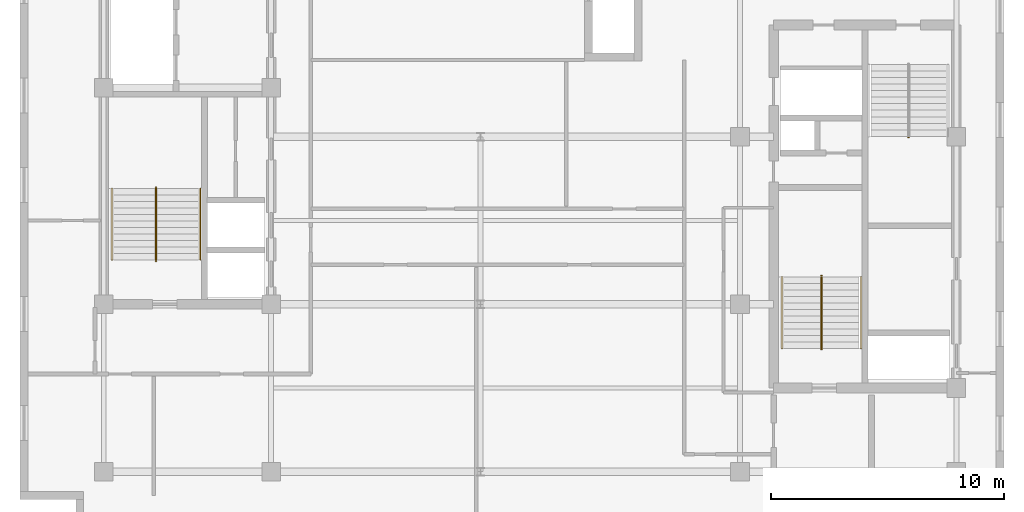
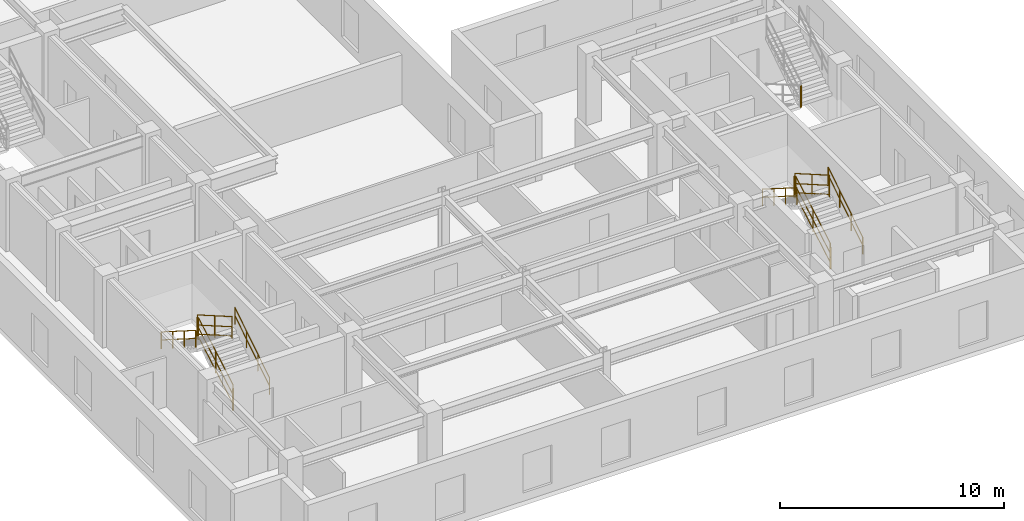
# One storey, part 7 of 9: 13 railings.
"""IFC4 building model written with IfcOpenShell, lengths in metres."""

from ifc_helpers import new_model, entity, si_unit, converted_unit, direction, frame, origin_with_axes, origin_2d_with_axis, place, context, subcontext, project, spatial, rectangle, circle, extrude, material, type_object, element, save


model = new_model("IFC4")

# Units and contexts
model_context = context("Model", 3, precision=1e-05, world=origin_with_axes(), true_north=direction((0.0, 1.0)))
body_context = subcontext(model_context, "Body", "Model", "MODEL_VIEW")
ifc_project = project(units=[si_unit("LENGTHUNIT", "METRE"), si_unit("AREAUNIT", "SQUARE_METRE"), si_unit("VOLUMEUNIT", "CUBIC_METRE"), converted_unit("PLANEANGLEUNIT", "DEGREE", entity("IfcPlaneAngleMeasure", 0.017453292519943295), si_unit("PLANEANGLEUNIT", "RADIAN"), dimensions=[0, 0, 0, 0, 0, 0, 0]), si_unit("MASSUNIT", "GRAM", prefix="KILO"), si_unit("THERMODYNAMICTEMPERATUREUNIT", "KELVIN")], contexts=[model_context])

# Site, building, storey
site_placement = place(None, origin_with_axes())
site = spatial("IfcSite", under=ifc_project, at=site_placement, CompositionType="ELEMENT")
building_placement = place(site_placement, origin_with_axes())
building = spatial("IfcBuilding", under=site, at=building_placement, Name="Varnlund Millrace Tower", CompositionType="ELEMENT")
storey_placement = place(building_placement, frame((0.0, 0.0, 256.8), z_axis=(0.0, 0.0, 1.0), x_axis=(1.0, 0.0, 0.0)))
storey = spatial("IfcBuildingStorey", under=building, at=storey_placement, Name="L63", CompositionType="ELEMENT", Elevation=256.8)

# Railings
ifc_material_1 = material(Name="Painted steel stair well balustrade guard", Category="steel")
railing_type_1 = type_object("IfcRailingType", Name="Type-StairGuard-1150", PredefinedType="GUARDRAIL", material=ifc_material_1)
railing_1_placement = place(storey_placement, frame((0.0, 0.0, -256.8), z_axis=(0.0, 0.0, 1.0), x_axis=(1.0, 0.0, 0.0)))
element("IfcRailing", 1, at=railing_1_placement, inside=storey, type_object=railing_type_1, Name="Type-StairGuard-1150", PredefinedType="GUARDRAIL", context=body_context, shape_type="SweptSolid", body=[
    extrude(circle(Radius=0.024, at=origin_2d_with_axis()), frame((13.675, 12.7, 258.127273), z_axis=(0.0, 0.866696, 0.498836), x_axis=(-1.0, 0.0, 0.0)), (0.0, 0.0, 1.0), 3.553725),
    extrude(circle(Radius=0.024, at=origin_2d_with_axis()), frame((13.675, 12.7, 257.077273), z_axis=(0.0, 0.866696, 0.498836), x_axis=(-1.0, 0.0, 0.0)), (0.0, 0.0, 1.0), 3.553725),
    extrude(circle(Radius=0.024, at=origin_2d_with_axis()), frame((13.675, 12.7, 257.575273), z_axis=(0.0, 0.866696, 0.498836), x_axis=(-1.0, 0.0, 0.0)), (0.0, 0.0, 1.0), 3.553725),
    extrude(rectangle(XDim=0.04, YDim=0.04, at=origin_2d_with_axis()), frame((13.675, 12.7, 256.937273), z_axis=(0.0, 0.0, 1.0), x_axis=(1.0, 0.0, 0.0)), (0.0, 0.0, 1.0), 1.19),
    extrude(rectangle(XDim=0.04, YDim=0.04, at=origin_2d_with_axis()), frame((13.675, 14.24, 257.823636), z_axis=(0.0, 0.0, 1.0), x_axis=(1.0, 0.0, 0.0)), (0.0, 0.0, 1.0), 1.19),
    extrude(rectangle(XDim=0.04, YDim=0.04, at=origin_2d_with_axis()), frame((13.675, 15.78, 258.71), z_axis=(0.0, 0.0, 1.0), x_axis=(1.0, 0.0, 0.0)), (0.0, 0.0, 1.0), 1.19),
])
railing_2_placement = place(storey_placement, frame((0.0, 0.0, -256.8), z_axis=(0.0, 0.0, 1.0), x_axis=(1.0, 0.0, 0.0)))
element("IfcRailing", 2, at=railing_2_placement, inside=storey, type_object=railing_type_1, Name="Type-StairGuard-1150", PredefinedType="GUARDRAIL", context=body_context, shape_type="SweptSolid", body=[
    extrude(circle(Radius=0.024, at=origin_2d_with_axis()), frame((13.625, 15.83, 259.9), z_axis=(1.0, 0.0, 0.0), x_axis=(0.0, 1.0, 0.0)), (0.0, 0.0, 1.0), 0.05),
    extrude(circle(Radius=0.024, at=origin_2d_with_axis()), frame((13.625, 15.83, 258.85), z_axis=(1.0, 0.0, 0.0), x_axis=(0.0, 1.0, 0.0)), (0.0, 0.0, 1.0), 0.05),
    extrude(circle(Radius=0.024, at=origin_2d_with_axis()), frame((13.625, 15.83, 259.348), z_axis=(1.0, 0.0, 0.0), x_axis=(0.0, 1.0, 0.0)), (0.0, 0.0, 1.0), 0.05),
    extrude(rectangle(XDim=0.04, YDim=0.04, at=origin_2d_with_axis()), frame((13.625, 15.83, 258.71), z_axis=(0.0, 0.0, 1.0), x_axis=(1.0, 0.0, 0.0)), (0.0, 0.0, 1.0), 1.19),
    extrude(rectangle(XDim=0.04, YDim=0.04, at=origin_2d_with_axis()), frame((13.675, 15.83, 258.71), z_axis=(0.0, 0.0, 1.0), x_axis=(1.0, 0.0, 0.0)), (0.0, 0.0, 1.0), 1.19),
])
railing_3_placement = place(storey_placement, frame((0.0, 0.0, -256.8), z_axis=(0.0, 0.0, 1.0), x_axis=(1.0, 0.0, 0.0)))
element("IfcRailing", 3, at=railing_3_placement, inside=storey, type_object=railing_type_1, Name="Type-StairGuard-1150", PredefinedType="GUARDRAIL", context=body_context, shape_type="SweptSolid", body=[
    extrude(circle(Radius=0.024, at=origin_2d_with_axis()), frame((13.625, 15.78, 260.077273), z_axis=(0.0, -0.866696, 0.498836), x_axis=(1.0, 0.0, 0.0)), (0.0, 0.0, 1.0), 3.553725),
    extrude(circle(Radius=0.024, at=origin_2d_with_axis()), frame((13.625, 15.78, 259.027273), z_axis=(0.0, -0.866696, 0.498836), x_axis=(1.0, 0.0, 0.0)), (0.0, 0.0, 1.0), 3.553725),
    extrude(circle(Radius=0.024, at=origin_2d_with_axis()), frame((13.625, 15.78, 259.525273), z_axis=(0.0, -0.866696, 0.498836), x_axis=(1.0, 0.0, 0.0)), (0.0, 0.0, 1.0), 3.553725),
    extrude(rectangle(XDim=0.04, YDim=0.04, at=origin_2d_with_axis()), frame((13.625, 15.78, 258.887273), z_axis=(0.0, 0.0, 1.0), x_axis=(1.0, 0.0, 0.0)), (0.0, 0.0, 1.0), 1.19),
    extrude(rectangle(XDim=0.04, YDim=0.04, at=origin_2d_with_axis()), frame((13.625, 14.24, 259.773637), z_axis=(0.0, 0.0, 1.0), x_axis=(1.0, 0.0, 0.0)), (0.0, 0.0, 1.0), 1.19),
    extrude(rectangle(XDim=0.04, YDim=0.04, at=origin_2d_with_axis()), frame((13.625, 12.7, 260.66), z_axis=(0.0, 0.0, 1.0), x_axis=(1.0, 0.0, 0.0)), (0.0, 0.0, 1.0), 1.19),
])
railing_4_placement = place(storey_placement, frame((0.0, 0.0, -256.8), z_axis=(0.0, 0.0, 1.0), x_axis=(1.0, 0.0, 0.0)))
element("IfcRailing", 4, at=railing_4_placement, inside=storey, type_object=railing_type_1, Name="Type-StairGuard-1150", PredefinedType="GUARDRAIL", context=body_context, shape_type="SweptSolid", body=[
    extrude(circle(Radius=0.024, at=origin_2d_with_axis()), frame((13.625, 12.65, 257.95), z_axis=(1.0, 0.0, 0.0), x_axis=(0.0, 1.0, 0.0)), (0.0, 0.0, 1.0), 0.05),
    extrude(circle(Radius=0.024, at=origin_2d_with_axis()), frame((13.625, 12.65, 256.9), z_axis=(1.0, 0.0, 0.0), x_axis=(0.0, 1.0, 0.0)), (0.0, 0.0, 1.0), 0.05),
    extrude(circle(Radius=0.024, at=origin_2d_with_axis()), frame((13.625, 12.65, 257.398), z_axis=(1.0, 0.0, 0.0), x_axis=(0.0, 1.0, 0.0)), (0.0, 0.0, 1.0), 0.05),
    extrude(rectangle(XDim=0.04, YDim=0.04, at=origin_2d_with_axis()), frame((13.625, 12.65, 256.76), z_axis=(0.0, 0.0, 1.0), x_axis=(1.0, 0.0, 0.0)), (0.0, 0.0, 1.0), 1.19),
    extrude(rectangle(XDim=0.04, YDim=0.04, at=origin_2d_with_axis()), frame((13.675, 12.65, 256.76), z_axis=(0.0, 0.0, 1.0), x_axis=(1.0, 0.0, 0.0)), (0.0, 0.0, 1.0), 1.19),
])
railing_5_placement = place(storey_placement, frame((0.0, 0.0, -256.8), z_axis=(0.0, 0.0, 1.0), x_axis=(1.0, 0.0, 0.0)))
element("IfcRailing", 5, at=railing_5_placement, inside=storey, type_object=railing_type_1, Name="Type-StairGuard-1150", PredefinedType="GUARDRAIL", context=body_context, shape_type="SweptSolid", body=[
    extrude(circle(Radius=0.024, at=origin_2d_with_axis()), frame((42.275, 8.9, 258.127273), z_axis=(0.0, 0.866696, 0.498836), x_axis=(-1.0, 0.0, 0.0)), (0.0, 0.0, 1.0), 3.553725),
    extrude(circle(Radius=0.024, at=origin_2d_with_axis()), frame((42.275, 8.9, 257.077273), z_axis=(0.0, 0.866696, 0.498836), x_axis=(-1.0, 0.0, 0.0)), (0.0, 0.0, 1.0), 3.553725),
    extrude(circle(Radius=0.024, at=origin_2d_with_axis()), frame((42.275, 8.9, 257.575273), z_axis=(0.0, 0.866696, 0.498836), x_axis=(-1.0, 0.0, 0.0)), (0.0, 0.0, 1.0), 3.553725),
    extrude(rectangle(XDim=0.04, YDim=0.04, at=origin_2d_with_axis()), frame((42.275, 8.9, 256.937273), z_axis=(0.0, 0.0, 1.0), x_axis=(1.0, 0.0, 0.0)), (0.0, 0.0, 1.0), 1.19),
    extrude(rectangle(XDim=0.04, YDim=0.04, at=origin_2d_with_axis()), frame((42.275, 10.44, 257.823636), z_axis=(0.0, 0.0, 1.0), x_axis=(1.0, 0.0, 0.0)), (0.0, 0.0, 1.0), 1.19),
    extrude(rectangle(XDim=0.04, YDim=0.04, at=origin_2d_with_axis()), frame((42.275, 11.98, 258.71), z_axis=(0.0, 0.0, 1.0), x_axis=(1.0, 0.0, 0.0)), (0.0, 0.0, 1.0), 1.19),
])
railing_6_placement = place(storey_placement, frame((0.0, 0.0, -256.8), z_axis=(0.0, 0.0, 1.0), x_axis=(1.0, 0.0, 0.0)))
element("IfcRailing", 6, at=railing_6_placement, inside=storey, type_object=railing_type_1, Name="Type-StairGuard-1150", PredefinedType="GUARDRAIL", context=body_context, shape_type="SweptSolid", body=[
    extrude(circle(Radius=0.024, at=origin_2d_with_axis()), frame((42.225, 12.03, 259.9), z_axis=(1.0, 0.0, 0.0), x_axis=(0.0, 1.0, 0.0)), (0.0, 0.0, 1.0), 0.05),
    extrude(circle(Radius=0.024, at=origin_2d_with_axis()), frame((42.225, 12.03, 258.85), z_axis=(1.0, 0.0, 0.0), x_axis=(0.0, 1.0, 0.0)), (0.0, 0.0, 1.0), 0.05),
    extrude(circle(Radius=0.024, at=origin_2d_with_axis()), frame((42.225, 12.03, 259.348), z_axis=(1.0, 0.0, 0.0), x_axis=(0.0, 1.0, 0.0)), (0.0, 0.0, 1.0), 0.05),
    extrude(rectangle(XDim=0.04, YDim=0.04, at=origin_2d_with_axis()), frame((42.225, 12.03, 258.71), z_axis=(0.0, 0.0, 1.0), x_axis=(1.0, 0.0, 0.0)), (0.0, 0.0, 1.0), 1.19),
    extrude(rectangle(XDim=0.04, YDim=0.04, at=origin_2d_with_axis()), frame((42.275, 12.03, 258.71), z_axis=(0.0, 0.0, 1.0), x_axis=(1.0, 0.0, 0.0)), (0.0, 0.0, 1.0), 1.19),
])
railing_7_placement = place(storey_placement, frame((0.0, 0.0, -256.8), z_axis=(0.0, 0.0, 1.0), x_axis=(1.0, 0.0, 0.0)))
element("IfcRailing", 7, at=railing_7_placement, inside=storey, type_object=railing_type_1, Name="Type-StairGuard-1150", PredefinedType="GUARDRAIL", context=body_context, shape_type="SweptSolid", body=[
    extrude(circle(Radius=0.024, at=origin_2d_with_axis()), frame((42.225, 11.98, 260.077273), z_axis=(0.0, -0.866696, 0.498836), x_axis=(1.0, 0.0, 0.0)), (0.0, 0.0, 1.0), 3.553725),
    extrude(circle(Radius=0.024, at=origin_2d_with_axis()), frame((42.225, 11.98, 259.027273), z_axis=(0.0, -0.866696, 0.498836), x_axis=(1.0, 0.0, 0.0)), (0.0, 0.0, 1.0), 3.553725),
    extrude(circle(Radius=0.024, at=origin_2d_with_axis()), frame((42.225, 11.98, 259.525273), z_axis=(0.0, -0.866696, 0.498836), x_axis=(1.0, 0.0, 0.0)), (0.0, 0.0, 1.0), 3.553725),
    extrude(rectangle(XDim=0.04, YDim=0.04, at=origin_2d_with_axis()), frame((42.225, 11.98, 258.887273), z_axis=(0.0, 0.0, 1.0), x_axis=(1.0, 0.0, 0.0)), (0.0, 0.0, 1.0), 1.19),
    extrude(rectangle(XDim=0.04, YDim=0.04, at=origin_2d_with_axis()), frame((42.225, 10.44, 259.773637), z_axis=(0.0, 0.0, 1.0), x_axis=(1.0, 0.0, 0.0)), (0.0, 0.0, 1.0), 1.19),
    extrude(rectangle(XDim=0.04, YDim=0.04, at=origin_2d_with_axis()), frame((42.225, 8.9, 260.66), z_axis=(0.0, 0.0, 1.0), x_axis=(1.0, 0.0, 0.0)), (0.0, 0.0, 1.0), 1.19),
])
railing_8_placement = place(storey_placement, frame((0.0, 0.0, -256.8), z_axis=(0.0, 0.0, 1.0), x_axis=(1.0, 0.0, 0.0)))
element("IfcRailing", 8, at=railing_8_placement, inside=storey, type_object=railing_type_1, Name="Type-StairGuard-1150", PredefinedType="GUARDRAIL", context=body_context, shape_type="SweptSolid", body=[
    extrude(circle(Radius=0.024, at=origin_2d_with_axis()), frame((42.225, 8.85, 257.95), z_axis=(1.0, 0.0, 0.0), x_axis=(0.0, 1.0, 0.0)), (0.0, 0.0, 1.0), 0.05),
    extrude(circle(Radius=0.024, at=origin_2d_with_axis()), frame((42.225, 8.85, 256.9), z_axis=(1.0, 0.0, 0.0), x_axis=(0.0, 1.0, 0.0)), (0.0, 0.0, 1.0), 0.05),
    extrude(circle(Radius=0.024, at=origin_2d_with_axis()), frame((42.225, 8.85, 257.398), z_axis=(1.0, 0.0, 0.0), x_axis=(0.0, 1.0, 0.0)), (0.0, 0.0, 1.0), 0.05),
    extrude(rectangle(XDim=0.04, YDim=0.04, at=origin_2d_with_axis()), frame((42.225, 8.85, 256.76), z_axis=(0.0, 0.0, 1.0), x_axis=(1.0, 0.0, 0.0)), (0.0, 0.0, 1.0), 1.19),
    extrude(rectangle(XDim=0.04, YDim=0.04, at=origin_2d_with_axis()), frame((42.275, 8.85, 256.76), z_axis=(0.0, 0.0, 1.0), x_axis=(1.0, 0.0, 0.0)), (0.0, 0.0, 1.0), 1.19),
])
railing_9_placement = place(storey_placement, frame((0.0, 0.0, -256.8), z_axis=(0.0, 0.0, 1.0), x_axis=(1.0, 0.0, 0.0)))
element("IfcRailing", 9, at=railing_9_placement, inside=storey, type_object=railing_type_1, Name="Type-StairGuard-1150", PredefinedType="GUARDRAIL", context=body_context, shape_type="SweptSolid", body=[
    extrude(circle(Radius=0.024, at=origin_2d_with_axis()), frame((46.025, 17.97, 259.9), z_axis=(-1.0, 0.0, 0.0), x_axis=(0.0, -1.0, 0.0)), (0.0, 0.0, 1.0), 0.05),
    extrude(circle(Radius=0.024, at=origin_2d_with_axis()), frame((46.025, 17.97, 258.85), z_axis=(-1.0, 0.0, 0.0), x_axis=(0.0, -1.0, 0.0)), (0.0, 0.0, 1.0), 0.05),
    extrude(circle(Radius=0.024, at=origin_2d_with_axis()), frame((46.025, 17.97, 259.348), z_axis=(-1.0, 0.0, 0.0), x_axis=(0.0, -1.0, 0.0)), (0.0, 0.0, 1.0), 0.05),
    extrude(rectangle(XDim=0.04, YDim=0.04, at=origin_2d_with_axis()), frame((46.025, 17.97, 258.71), z_axis=(0.0, 0.0, 1.0), x_axis=(1.0, 0.0, 0.0)), (0.0, 0.0, 1.0), 1.19),
    extrude(rectangle(XDim=0.04, YDim=0.04, at=origin_2d_with_axis()), frame((45.975, 17.97, 258.71), z_axis=(0.0, 0.0, 1.0), x_axis=(1.0, 0.0, 0.0)), (0.0, 0.0, 1.0), 1.19),
])
ifc_material_2 = material(Name="Brushed architectural bronze stair handrail", Category="aluminium")
railing_type_2 = type_object("IfcRailingType", Name="Type-StairHandrail-900", PredefinedType="HANDRAIL", material=ifc_material_2)
railing_10_placement = place(storey_placement, frame((0.0, 0.0, -256.8), z_axis=(0.0, 0.0, 1.0), x_axis=(1.0, 0.0, 0.0)))
element("IfcRailing", 10, at=railing_10_placement, inside=storey, type_object=railing_type_2, Name="Type-StairHandrail-900", PredefinedType="HANDRAIL", context=body_context, shape_type="SweptSolid", body=[
    extrude(circle(Radius=0.024, at=origin_2d_with_axis()), frame((15.55, 12.7, 257.856995), z_axis=(0.0, 0.844902, 0.534922), x_axis=(-1.0, 0.0, 0.0)), (0.0, 0.0, 1.0), 3.645394),
    extrude(circle(Radius=0.024, at=origin_2d_with_axis()), frame((15.55, 12.7, 257.417134), z_axis=(0.0, 0.844902, 0.534922), x_axis=(-1.0, 0.0, 0.0)), (0.0, 0.0, 1.0), 3.645394),
    extrude(rectangle(XDim=0.04, YDim=0.04, at=origin_2d_with_axis()), frame((15.55, 12.7, 256.937273), z_axis=(0.0, 0.0, 1.0), x_axis=(1.0, 0.0, 0.0)), (0.0, 0.0, 1.0), 0.919722),
    extrude(rectangle(XDim=0.04, YDim=0.04, at=origin_2d_with_axis()), frame((15.55, 13.726667, 257.587273), z_axis=(0.0, 0.0, 1.0), x_axis=(1.0, 0.0, 0.0)), (0.0, 0.0, 1.0), 0.919722),
    extrude(rectangle(XDim=0.04, YDim=0.04, at=origin_2d_with_axis()), frame((15.55, 14.753333, 258.237273), z_axis=(0.0, 0.0, 1.0), x_axis=(1.0, 0.0, 0.0)), (0.0, 0.0, 1.0), 0.919722),
    extrude(rectangle(XDim=0.04, YDim=0.04, at=origin_2d_with_axis()), frame((15.55, 15.78, 258.887273), z_axis=(0.0, 0.0, 1.0), x_axis=(1.0, 0.0, 0.0)), (0.0, 0.0, 1.0), 0.919722),
])
railing_11_placement = place(storey_placement, frame((0.0, 0.0, -256.8), z_axis=(0.0, 0.0, 1.0), x_axis=(1.0, 0.0, 0.0)))
element("IfcRailing", 11, at=railing_11_placement, inside=storey, type_object=railing_type_2, Name="Type-StairHandrail-900", PredefinedType="HANDRAIL", context=body_context, shape_type="SweptSolid", body=[
    extrude(circle(Radius=0.024, at=origin_2d_with_axis()), frame((11.75, 15.78, 259.806995), z_axis=(0.0, -0.844902, 0.534922), x_axis=(1.0, 0.0, 0.0)), (0.0, 0.0, 1.0), 3.645394),
    extrude(circle(Radius=0.024, at=origin_2d_with_axis()), frame((11.75, 15.78, 259.367134), z_axis=(0.0, -0.844902, 0.534922), x_axis=(1.0, 0.0, 0.0)), (0.0, 0.0, 1.0), 3.645394),
    extrude(rectangle(XDim=0.04, YDim=0.04, at=origin_2d_with_axis()), frame((11.75, 15.78, 258.887273), z_axis=(0.0, 0.0, 1.0), x_axis=(1.0, 0.0, 0.0)), (0.0, 0.0, 1.0), 0.919722),
    extrude(rectangle(XDim=0.04, YDim=0.04, at=origin_2d_with_axis()), frame((11.75, 14.753333, 259.537273), z_axis=(0.0, 0.0, 1.0), x_axis=(1.0, 0.0, 0.0)), (0.0, 0.0, 1.0), 0.919722),
    extrude(rectangle(XDim=0.04, YDim=0.04, at=origin_2d_with_axis()), frame((11.75, 13.726667, 260.187273), z_axis=(0.0, 0.0, 1.0), x_axis=(1.0, 0.0, 0.0)), (0.0, 0.0, 1.0), 0.919722),
    extrude(rectangle(XDim=0.04, YDim=0.04, at=origin_2d_with_axis()), frame((11.75, 12.7, 260.837273), z_axis=(0.0, 0.0, 1.0), x_axis=(1.0, 0.0, 0.0)), (0.0, 0.0, 1.0), 0.919722),
])
railing_12_placement = place(storey_placement, frame((0.0, 0.0, -256.8), z_axis=(0.0, 0.0, 1.0), x_axis=(1.0, 0.0, 0.0)))
element("IfcRailing", 12, at=railing_12_placement, inside=storey, type_object=railing_type_2, Name="Type-StairHandrail-900", PredefinedType="HANDRAIL", context=body_context, shape_type="SweptSolid", body=[
    extrude(circle(Radius=0.024, at=origin_2d_with_axis()), frame((43.95, 8.9, 257.856995), z_axis=(0.0, 0.844902, 0.534922), x_axis=(-1.0, 0.0, 0.0)), (0.0, 0.0, 1.0), 3.645394),
    extrude(circle(Radius=0.024, at=origin_2d_with_axis()), frame((43.95, 8.9, 257.417134), z_axis=(0.0, 0.844902, 0.534922), x_axis=(-1.0, 0.0, 0.0)), (0.0, 0.0, 1.0), 3.645394),
    extrude(rectangle(XDim=0.04, YDim=0.04, at=origin_2d_with_axis()), frame((43.95, 8.9, 256.937273), z_axis=(0.0, 0.0, 1.0), x_axis=(1.0, 0.0, 0.0)), (0.0, 0.0, 1.0), 0.919722),
    extrude(rectangle(XDim=0.04, YDim=0.04, at=origin_2d_with_axis()), frame((43.95, 9.926667, 257.587273), z_axis=(0.0, 0.0, 1.0), x_axis=(1.0, 0.0, 0.0)), (0.0, 0.0, 1.0), 0.919722),
    extrude(rectangle(XDim=0.04, YDim=0.04, at=origin_2d_with_axis()), frame((43.95, 10.953333, 258.237273), z_axis=(0.0, 0.0, 1.0), x_axis=(1.0, 0.0, 0.0)), (0.0, 0.0, 1.0), 0.919722),
    extrude(rectangle(XDim=0.04, YDim=0.04, at=origin_2d_with_axis()), frame((43.95, 11.98, 258.887273), z_axis=(0.0, 0.0, 1.0), x_axis=(1.0, 0.0, 0.0)), (0.0, 0.0, 1.0), 0.919722),
])
railing_13_placement = place(storey_placement, frame((0.0, 0.0, -256.8), z_axis=(0.0, 0.0, 1.0), x_axis=(1.0, 0.0, 0.0)))
element("IfcRailing", 13, at=railing_13_placement, inside=storey, type_object=railing_type_2, Name="Type-StairHandrail-900", PredefinedType="HANDRAIL", context=body_context, shape_type="SweptSolid", body=[
    extrude(circle(Radius=0.024, at=origin_2d_with_axis()), frame((40.55, 11.98, 259.806995), z_axis=(0.0, -0.844902, 0.534922), x_axis=(1.0, 0.0, 0.0)), (0.0, 0.0, 1.0), 3.645394),
    extrude(circle(Radius=0.024, at=origin_2d_with_axis()), frame((40.55, 11.98, 259.367134), z_axis=(0.0, -0.844902, 0.534922), x_axis=(1.0, 0.0, 0.0)), (0.0, 0.0, 1.0), 3.645394),
    extrude(rectangle(XDim=0.04, YDim=0.04, at=origin_2d_with_axis()), frame((40.55, 11.98, 258.887273), z_axis=(0.0, 0.0, 1.0), x_axis=(1.0, 0.0, 0.0)), (0.0, 0.0, 1.0), 0.919722),
    extrude(rectangle(XDim=0.04, YDim=0.04, at=origin_2d_with_axis()), frame((40.55, 10.953333, 259.537273), z_axis=(0.0, 0.0, 1.0), x_axis=(1.0, 0.0, 0.0)), (0.0, 0.0, 1.0), 0.919722),
    extrude(rectangle(XDim=0.04, YDim=0.04, at=origin_2d_with_axis()), frame((40.55, 9.926667, 260.187273), z_axis=(0.0, 0.0, 1.0), x_axis=(1.0, 0.0, 0.0)), (0.0, 0.0, 1.0), 0.919722),
    extrude(rectangle(XDim=0.04, YDim=0.04, at=origin_2d_with_axis()), frame((40.55, 8.9, 260.837273), z_axis=(0.0, 0.0, 1.0), x_axis=(1.0, 0.0, 0.0)), (0.0, 0.0, 1.0), 0.919722),
])

save(model, "model.ifc")
